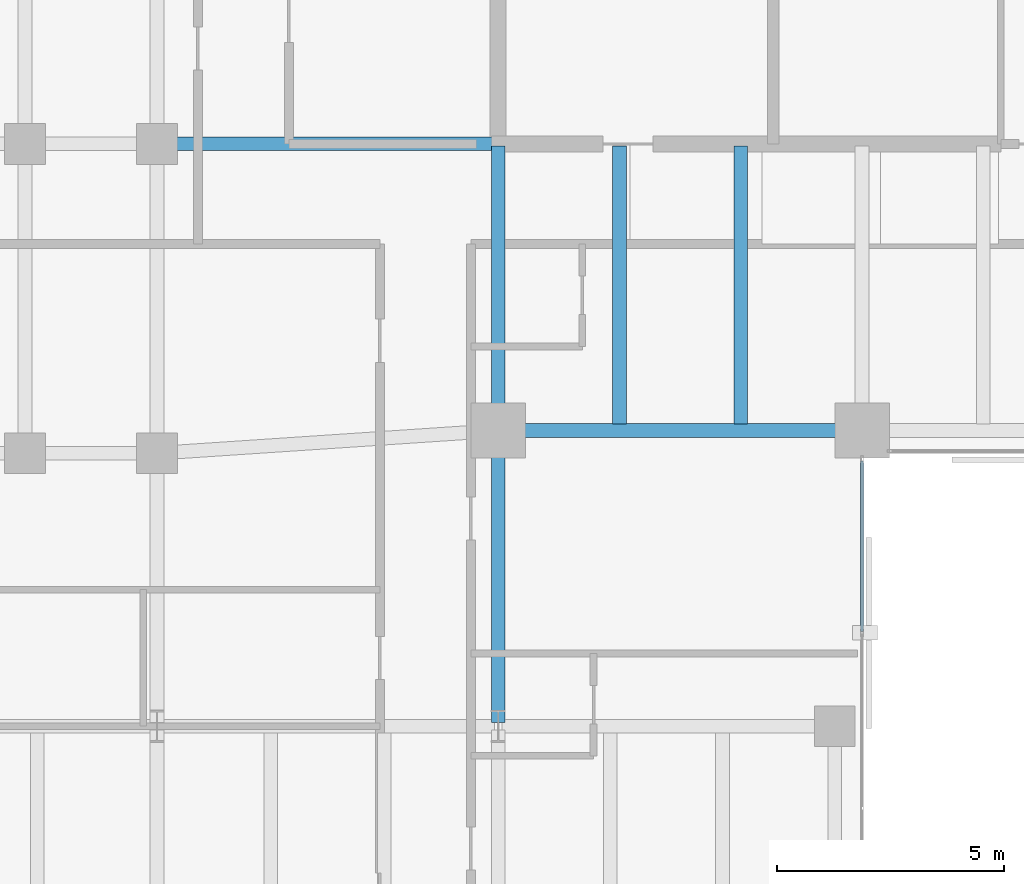
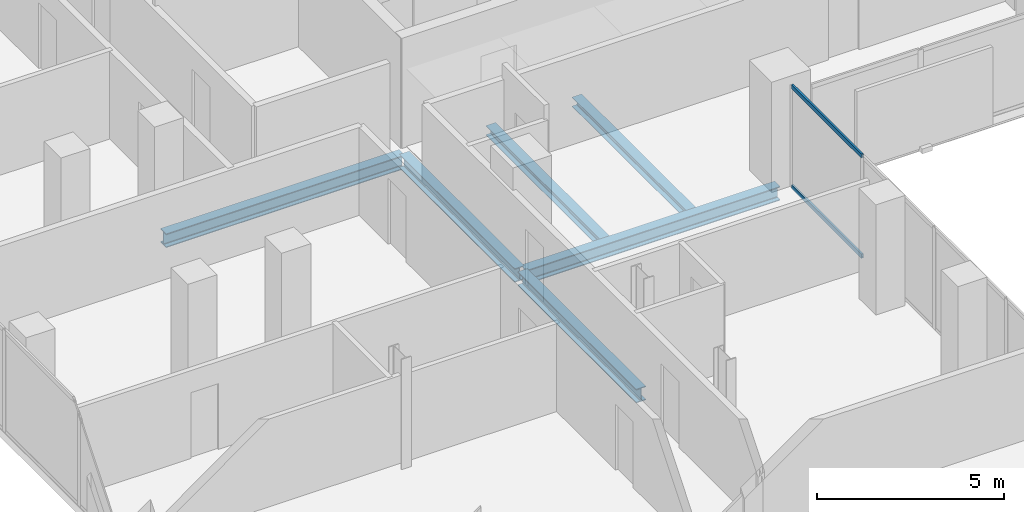
# One storey, part 12 of 33: 6 beams, 2 members, 1 element without a shape of its own.
"""IFC4 building model written with IfcOpenShell, lengths in metres."""

from ifc_helpers import new_model, si_unit, direction, frame, origin, origin_2d, place, context, subcontext, project, spatial, hollow_rectangle, i_section, extrude, material, layer, layer_set, material_profile, profile_set, type_object, element, aggregate, save


model = new_model("IFC4")

# Units and contexts
model_context = context("Model", 3, precision=1e-05, world=origin(), true_north=direction((0.0, 1.0)))
body_context = subcontext(model_context, "Body", "Model", "MODEL_VIEW")
ifc_project = project(units=[si_unit("LENGTHUNIT", "METRE"), si_unit("AREAUNIT", "SQUARE_METRE"), si_unit("VOLUMEUNIT", "CUBIC_METRE"), si_unit("PLANEANGLEUNIT", "RADIAN"), si_unit("MASSUNIT", "GRAM", prefix="KILO")], contexts=[model_context])

# Site, building, storey
site_placement = place(None, origin())
site = spatial("IfcSite", under=ifc_project, at=site_placement, CompositionType="ELEMENT")
building_placement = place(site_placement, origin())
building = spatial("IfcBuilding", under=site, at=building_placement, Name="Catumbela Crestline Tower", CompositionType="ELEMENT")
storey_placement = place(building_placement, frame((0.0, 0.0, 104.4)))
storey = spatial("IfcBuildingStorey", under=building, at=storey_placement, Name="L26", CompositionType="ELEMENT", Elevation=104.4)

# Beams
ifc_material_1 = material(Name="Structural steel S355J2", Category="steel")
ifc_material_profile_1 = material_profile(ifc_material_1, i_section(OverallWidth=0.3, OverallDepth=0.45, WebThickness=0.014, FlangeThickness=0.026, FilletRadius=0.027, at=origin_2d()), Name="HEB 450")
ifc_profile_set_1 = profile_set([ifc_material_profile_1], Name="Structural steel S355J2")
beam_type_1 = type_object("IfcBeamType", Name="BG-HEB450", PredefinedType="BEAM", material=ifc_profile_set_1)
beam_1_placement = place(storey_placement, frame((16.08, 24.5, -0.485), z_axis=(1.0, 0.0, 0.0), x_axis=(0.0, 1.0, 0.0)))
element("IfcBeam", 1, at=beam_1_placement, inside=storey, type_object=beam_type_1, Name="L26 Beam BM-L26-S04", PredefinedType="BEAM", context=body_context, shape_type="SweptSolid", body=[
    extrude(i_section(OverallWidth=0.3, OverallDepth=0.45, WebThickness=0.014, FlangeThickness=0.026, FilletRadius=0.027, at=origin_2d()), origin(), (0.0, 0.0, 1.0), 7.84),
])
beam_2_placement = place(storey_placement, frame((8.58, 30.8, -0.485), z_axis=(1.0, 0.0, 0.0), x_axis=(0.0, 1.0, 0.0)))
element("IfcBeam", 2, at=beam_2_placement, inside=storey, type_object=beam_type_1, Name="L26 Beam BM-L26-M09", PredefinedType="BEAM", context=body_context, shape_type="SweptSolid", body=[
    extrude(i_section(OverallWidth=0.3, OverallDepth=0.45, WebThickness=0.014, FlangeThickness=0.026, FilletRadius=0.027, at=origin_2d()), origin(), (0.0, 0.0, 1.0), 7.37),
])
beam_3_placement = place(storey_placement, frame((16.0, 24.58, -0.485), z_axis=(0.0, 1.0, 0.0), x_axis=(-1.0, 0.0, 0.0)))
element("IfcBeam", 3, at=beam_3_placement, inside=storey, type_object=beam_type_1, Name="L26 Beam BM-L26-SNS28", PredefinedType="BEAM", context=body_context, shape_type="SweptSolid", body=[
    extrude(i_section(OverallWidth=0.3, OverallDepth=0.45, WebThickness=0.014, FlangeThickness=0.026, FilletRadius=0.027, at=origin_2d()), origin(), (0.0, 0.0, 1.0), 6.17),
])
beam_4_placement = place(storey_placement, frame((16.0, 18.08, -0.485), z_axis=(0.0, 1.0, 0.0), x_axis=(-1.0, 0.0, 0.0)))
element("IfcBeam", 4, at=beam_4_placement, inside=storey, type_object=beam_type_1, Name="L26 Beam BM-L26-WNS60", PredefinedType="BEAM", context=body_context, shape_type="SweptSolid", body=[
    extrude(i_section(OverallWidth=0.3, OverallDepth=0.45, WebThickness=0.014, FlangeThickness=0.026, FilletRadius=0.027, at=origin_2d()), origin(), (0.0, 0.0, 1.0), 6.34),
])
ifc_material_profile_2 = material_profile(ifc_material_1, i_section(OverallWidth=0.3, OverallDepth=0.31, WebThickness=0.009, FlangeThickness=0.0155, FilletRadius=0.027, at=origin_2d()), Name="HEA 320")
ifc_profile_set_2 = profile_set([ifc_material_profile_2], Name="Structural steel S355J2")
beam_type_2 = type_object("IfcBeamType", Name="BJ-HEA320", PredefinedType="JOIST", material=ifc_profile_set_2)
for number, where, z_axis, x_axis, name in (
    (5, (18.667, 24.647, -0.415), (0.0, 1.0, 0.0), (-1.0, 0.0, 0.0), "L26 Joist JS-L26-SP37"),
    (6, (21.333, 24.647, -0.415), (0.0, 1.0, 0.0), (-1.0, 0.0, 0.0), "L26 Joist JS-L26-SP38"),
):
    element("IfcBeam", number, at=place(storey_placement, frame(where, z_axis=z_axis, x_axis=x_axis)), inside=storey, type_object=beam_type_2, Name=name, PredefinedType="JOIST", context=body_context, shape_type="SweptSolid", body=[
        extrude(i_section(OverallWidth=0.3, OverallDepth=0.31, WebThickness=0.009, FlangeThickness=0.0155, FilletRadius=0.027, at=origin_2d()), origin(), (0.0, 0.0, 1.0), 6.103),
    ])

# Curtain wall, members
ifc_material_2 = material(Name="Aluminium alloy AW-6060-T66", Category="aluminium")
ifc_layer = layer(ifc_material_2, 0.18, Name="Aluminium alloy AW-6060-T66")
ifc_layer_set = layer_set([ifc_layer], Name="Aluminium alloy AW-6060-T66")
curtain_wall_type = type_object("IfcCurtainWallType", Name="CWU-Z2", PredefinedType="USERDEFINED", material=ifc_layer_set)
curtain_wall_placement = place(storey_placement, origin())
curtain_wall = element("IfcCurtainWall", 7, at=curtain_wall_placement, inside=storey, type_object=curtain_wall_type, Name="L26 Unitised Curtain Wall CW-L26-E2S1", ObjectType="UNITISED", PredefinedType="USERDEFINED")
ifc_material_profile_3 = material_profile(ifc_material_2, hollow_rectangle(XDim=0.06, YDim=0.14, WallThickness=0.004, at=origin_2d()), Name="ALU 140x60x4")
ifc_profile_set_3 = profile_set([ifc_material_profile_3], Name="Aluminium alloy AW-6060-T66")
member_type = type_object("IfcMemberType", Name="TRN-140X60", PredefinedType="USERDEFINED", material=ifc_profile_set_3)
member_1_placement = place(storey_placement, frame((24.0, 20.0825, 0.03), z_axis=(0.0, 1.0, 0.0), x_axis=(-1.0, 0.0, 0.0)))
member_1 = element("IfcMember", 8, at=member_1_placement, type_object=member_type, Name="CWU-Z2 transom 4.1", ObjectType="TRANSOM", PredefinedType="USERDEFINED", context=body_context, shape_type="SweptSolid", body=[
    extrude(hollow_rectangle(XDim=0.06, YDim=0.14, WallThickness=0.004, at=origin_2d()), origin(), (0.0, 0.0, 1.0), 3.7525),
])
member_2_placement = place(storey_placement, frame((24.0, 20.0825, 3.3), z_axis=(0.0, 1.0, 0.0), x_axis=(-1.0, 0.0, 0.0)))
member_2 = element("IfcMember", 9, at=member_2_placement, type_object=member_type, Name="CWU-Z2 transom 4.2", ObjectType="TRANSOM", PredefinedType="USERDEFINED", context=body_context, shape_type="SweptSolid", body=[
    extrude(hollow_rectangle(XDim=0.06, YDim=0.14, WallThickness=0.004, at=origin_2d()), origin(), (0.0, 0.0, 1.0), 3.7525),
])
aggregate(curtain_wall, [member_1, member_2])

save(model, "model.ifc")
